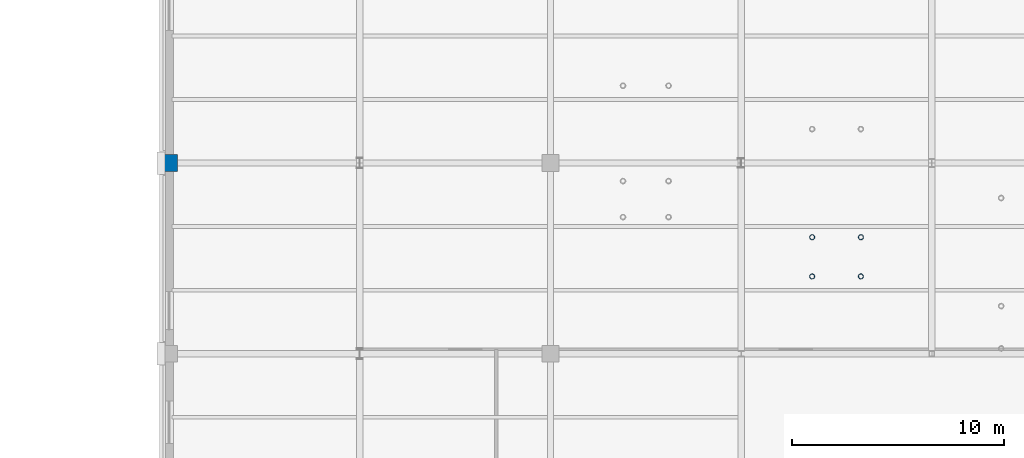
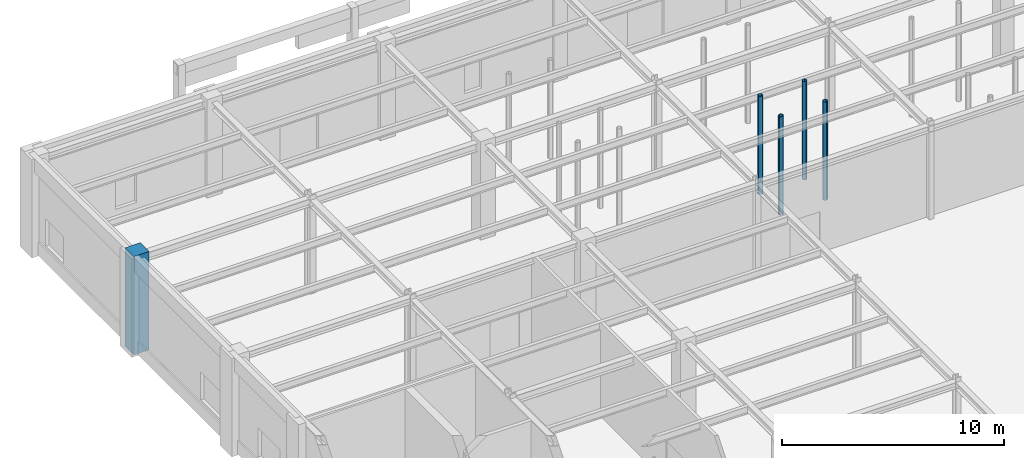
# One storey, part 8 of 77: 5 columns.
"""IFC4 building model written with IfcOpenShell, lengths in metres."""

from ifc_helpers import new_model, si_unit, direction, frame, origin, origin_2d, place, context, subcontext, project, spatial, rectangle, hollow_circle, extrude, material, material_profile, profile_set, type_object, element, save


model = new_model("IFC4")

# Units and contexts
model_context = context("Model", 3, precision=1e-05, world=origin(), true_north=direction((0.0, 1.0)))
body_context = subcontext(model_context, "Body", "Model", "MODEL_VIEW")
ifc_project = project(units=[si_unit("LENGTHUNIT", "METRE"), si_unit("AREAUNIT", "SQUARE_METRE"), si_unit("VOLUMEUNIT", "CUBIC_METRE"), si_unit("PLANEANGLEUNIT", "RADIAN"), si_unit("MASSUNIT", "GRAM", prefix="KILO")], contexts=[model_context])

# Site, building, storey
site_placement = place(None, origin())
site = spatial("IfcSite", under=ifc_project, at=site_placement, CompositionType="ELEMENT")
building_placement = place(site_placement, origin())
building = spatial("IfcBuilding", under=site, at=building_placement, Name="Lykobir Media Centre", CompositionType="ELEMENT")
storey_placement = place(building_placement, origin())
storey = spatial("IfcBuildingStorey", under=building, at=storey_placement, Name="L00", CompositionType="ELEMENT", Elevation=0.0)

# Columns
ifc_material_1 = material(Name="Concrete C40/50", Category="concrete")
ifc_material_profile_1 = material_profile(ifc_material_1, rectangle(XDim=0.800048828125, YDim=0.800048828125, at=origin_2d()), Name="RC 800x800")
ifc_profile_set_1 = profile_set([ifc_material_profile_1], Name="Concrete C40/50")
column_type_1 = type_object("IfcColumnType", Name="RC-C800", PredefinedType="COLUMN", material=ifc_profile_set_1)
column_placement = place(storey_placement, frame((27.0, 99.0, 0.0), z_axis=(0.0, 0.0, 1.0), x_axis=(1.0, 0.0, 0.0)))
element("IfcColumn", 1, at=column_placement, inside=storey, type_object=column_type_1, Name="Column COL-L00-0270-0990", PredefinedType="COLUMN", context=body_context, shape_type="SweptSolid", body=[
    extrude(rectangle(XDim=0.800048828125, YDim=0.800048828125, at=origin_2d()), origin(), (0.0, 0.0, 1.0), 5.39990234375),
])
ifc_material_2 = material(Name="Steel S355", Category="steel")
ifc_material_profile_2 = material_profile(ifc_material_2, hollow_circle(Radius=0.122314453125, WallThickness=0.012451171875, at=origin_2d()), Name="CHS 244.5x12.5")
ifc_profile_set_2 = profile_set([ifc_material_profile_2], Name="Steel S355")
column_type_2 = type_object("IfcColumnType", Name="SC-CHS244", PredefinedType="COLUMN", material=ifc_profile_set_2)
for number, where, z_axis, x_axis, name in (
    (2, (57.35009765625, 93.64990234375, 0.0), (0.0, 0.0, 1.0), (1.0, 0.0, 0.0), "Valley stair column L00 3-574-936"),
    (3, (57.35009765625, 95.5, 0.0), (0.0, 0.0, 1.0), (1.0, 0.0, 0.0), "Valley stair column L00 3-574-955"),
    (4, (59.64990234375, 93.64990234375, 0.0), (0.0, 0.0, 1.0), (1.0, 0.0, 0.0), "Valley stair column L00 3-596-936"),
    (5, (59.64990234375, 95.5, 0.0), (0.0, 0.0, 1.0), (1.0, 0.0, 0.0), "Valley stair column L00 3-596-955"),
):
    element("IfcColumn", number, at=place(storey_placement, frame(where, z_axis=z_axis, x_axis=x_axis)), inside=storey, type_object=column_type_2, Name=name, PredefinedType="COLUMN", context=body_context, shape_type="SweptSolid", body=[
        extrude(hollow_circle(Radius=0.122314453125, WallThickness=0.012451171875, at=origin_2d()), origin(), (0.0, 0.0, 1.0), 5.39990234375),
    ])

save(model, "model.ifc")
